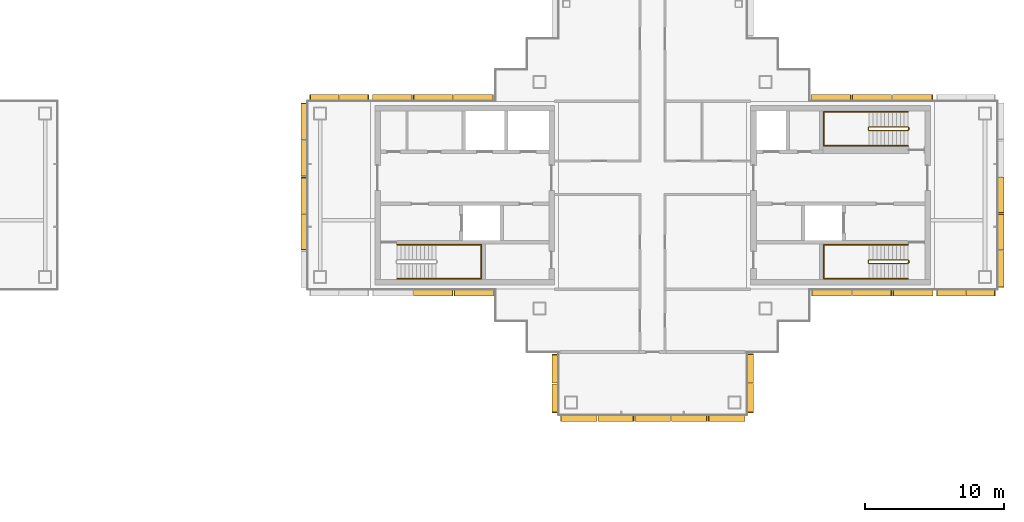
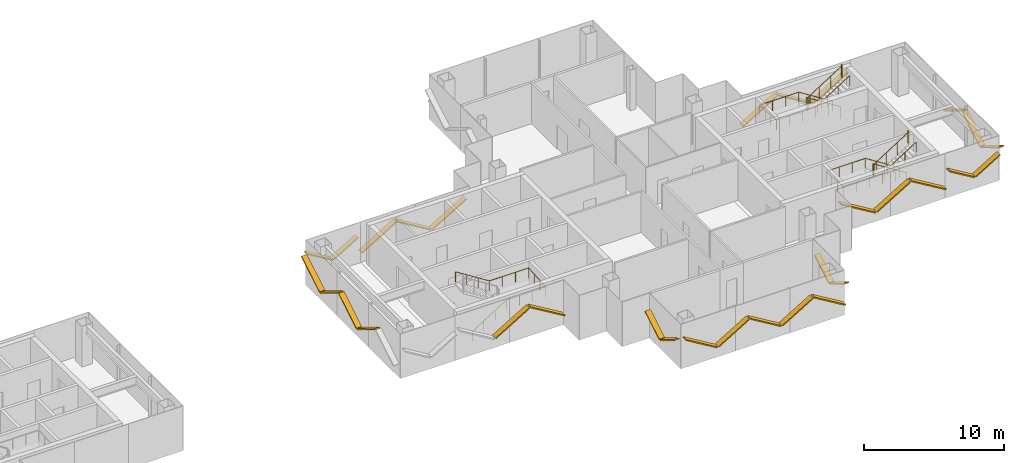
# One storey, part 15 of 17: 31 shading devices, 5 railings.
"""IFC4 building model written with IfcOpenShell, lengths in metres."""

from ifc_helpers import new_model, si_unit, direction, frame, origin, origin_2d, place, context, subcontext, project, spatial, rectangle, circle, extrude, material, material_profile, profile_set, type_object, element, save


model = new_model("IFC4")

# Units and contexts
model_context = context("Model", 3, precision=1e-05, world=origin(), true_north=direction((0.0, 1.0)))
body_context = subcontext(model_context, "Body", "Model", "MODEL_VIEW")
ifc_project = project(units=[si_unit("LENGTHUNIT", "METRE"), si_unit("AREAUNIT", "SQUARE_METRE"), si_unit("VOLUMEUNIT", "CUBIC_METRE"), si_unit("PLANEANGLEUNIT", "RADIAN"), si_unit("MASSUNIT", "GRAM", prefix="KILO")], contexts=[model_context])

# Site, building, storey
site_placement = place(None, origin())
site = spatial("IfcSite", under=ifc_project, at=site_placement, CompositionType="ELEMENT")
building_placement = place(site_placement, origin())
building = spatial("IfcBuilding", under=site, at=building_placement, Name="Shamsa Quay Exchange Towers", CompositionType="ELEMENT")
storey_placement = place(building_placement, frame((0.0, 0.0, 249.89990234375)))
storey = spatial("IfcBuildingStorey", under=building, at=storey_placement, Name="L60", CompositionType="ELEMENT", Elevation=249.89990234375)

# Shading devices
ifc_material_1 = material(Name="Aluminium EN AW-6063 T6, black anodised", Category="aluminium")
ifc_material_profile = material_profile(ifc_material_1, rectangle(XDim=0.449951171875, YDim=0.10009765625, at=origin_2d()), Name="FIN450x100")
ifc_profile_set = profile_set([ifc_material_profile], Name="Aluminium EN AW-6063 T6, black anodised")
shading_device_type = type_object("IfcShadingDeviceType", Name="FIN 450x100 BLACK ALUMINIUM", PredefinedType="USERDEFINED", material=ifc_profile_set)
shading_device_1_placement = place(storey_placement, frame((45.18798828125, -7.01904296875, 2.45263671875), z_axis=(0.857141320927, 0.0, -0.515081310046), x_axis=(0.0, 1.0, 0.0)))
element("IfcShadingDevice", 1, at=shading_device_1_placement, inside=storey, type_object=shading_device_type, Name="FIN T2 chevron rib", ObjectType="FIN", PredefinedType="USERDEFINED", context=body_context, shape_type="SweptSolid", body=[
    extrude(rectangle(XDim=0.449951171875, YDim=0.10009765625, at=origin_2d()), origin(), (0.0, 0.0, 1.0), 3.310302734375),
])
shading_device_2_placement = place(storey_placement, frame((48.125244140625, -7.01904296875, 0.7626953125), z_axis=(0.857168152113, 0.0, 0.515036657922), x_axis=(0.0, 1.0, 0.0)))
element("IfcShadingDevice", 2, at=shading_device_2_placement, inside=storey, type_object=shading_device_type, Name="FIN T2 chevron rib", ObjectType="FIN", PredefinedType="USERDEFINED", context=body_context, shape_type="SweptSolid", body=[
    extrude(rectangle(XDim=0.449951171875, YDim=0.10009765625, at=origin_2d()), origin(), (0.0, 0.0, 1.0), 3.251708984375),
])
shading_device_3_placement = place(storey_placement, frame((51.0126953125, -7.01904296875, 2.45263671875), z_axis=(0.857141320927, 0.0, -0.515081310046), x_axis=(0.0, 1.0, 0.0)))
element("IfcShadingDevice", 3, at=shading_device_3_placement, inside=storey, type_object=shading_device_type, Name="FIN T2 chevron rib", ObjectType="FIN", PredefinedType="USERDEFINED", context=body_context, shape_type="SweptSolid", body=[
    extrude(rectangle(XDim=0.449951171875, YDim=0.10009765625, at=origin_2d()), origin(), (0.0, 0.0, 1.0), 3.310302734375),
])
for number, where, z_axis, x_axis, name in (
    (4, (54.14990234375, -7.014892578125, 2.216064453125), (0.857141460525, 0.0, -0.515081077743), (0.0, 1.0, 0.0), "FIN T2 chevron rib"),
    (5, (56.300048828125, -7.014892578125, 0.984130859375), (0.857141460525, 0.0, 0.515081077743), (0.0, 1.0, 0.0), "FIN T2 chevron rib"),
):
    element("IfcShadingDevice", number, at=place(storey_placement, frame(where, z_axis=z_axis, x_axis=x_axis)), inside=storey, type_object=shading_device_type, Name=name, ObjectType="FIN", PredefinedType="USERDEFINED", context=body_context, shape_type="SweptSolid", body=[
        extrude(rectangle(XDim=0.449951171875, YDim=0.10009765625, at=origin_2d()), origin(), (0.0, 0.0, 1.0), 2.391845703125),
    ])
shading_device_4_placement = place(storey_placement, frame((58.764892578125, -6.60009765625, 2.378173828125), z_axis=(0.0, 0.857186216295, -0.515006592767), x_axis=(-1.0, 0.0, 0.0)))
element("IfcShadingDevice", 6, at=shading_device_4_placement, inside=storey, type_object=shading_device_type, Name="FIN T2 chevron rib", ObjectType="FIN", PredefinedType="USERDEFINED", context=body_context, shape_type="SweptSolid", body=[
    extrude(rectangle(XDim=0.449951171875, YDim=0.10009765625, at=origin_2d()), origin(), (0.0, 0.0, 1.0), 3.021728515625),
])
shading_device_5_placement = place(storey_placement, frame((58.764892578125, -3.909912109375, 0.8369140625), z_axis=(0.0, 0.857121939939, 0.515113560367), x_axis=(-1.0, 0.0, 0.0)))
element("IfcShadingDevice", 7, at=shading_device_5_placement, inside=storey, type_object=shading_device_type, Name="FIN T2 chevron rib", ObjectType="FIN", PredefinedType="USERDEFINED", context=body_context, shape_type="SweptSolid", body=[
    extrude(rectangle(XDim=0.449951171875, YDim=0.10009765625, at=origin_2d()), origin(), (0.0, 0.0, 1.0), 2.963134765625),
])
shading_device_6_placement = place(storey_placement, frame((58.764892578125, -1.27001953125, 2.36328125), z_axis=(0.0, 0.857143799628, -0.515077185244), x_axis=(-1.0, 0.0, 0.0)))
element("IfcShadingDevice", 8, at=shading_device_6_placement, inside=storey, type_object=shading_device_type, Name="FIN T2 chevron rib", ObjectType="FIN", PredefinedType="USERDEFINED", context=body_context, shape_type="SweptSolid", body=[
    extrude(rectangle(XDim=0.449951171875, YDim=0.10009765625, at=origin_2d()), origin(), (0.0, 0.0, 1.0), 2.96337890625),
])
shading_device_7_placement = place(storey_placement, frame((53.85009765625, 7.01904296875, 2.456298828125), z_axis=(-0.857181785947, 0.0, -0.515013966646), x_axis=(0.0, -1.0, 0.0)))
element("IfcShadingDevice", 9, at=shading_device_7_placement, inside=storey, type_object=shading_device_type, Name="FIN T2 chevron rib", ObjectType="FIN", PredefinedType="USERDEFINED", context=body_context, shape_type="SweptSolid", body=[
    extrude(rectangle(XDim=0.449951171875, YDim=0.10009765625, at=origin_2d()), origin(), (0.0, 0.0, 1.0), 3.324951171875),
])
shading_device_8_placement = place(storey_placement, frame((50.89990234375, 7.01904296875, 0.7587890625), z_axis=(-0.857123399088, 0.0, 0.515111132413), x_axis=(0.0, -1.0, 0.0)))
element("IfcShadingDevice", 10, at=shading_device_8_placement, inside=storey, type_object=shading_device_type, Name="FIN T2 chevron rib", ObjectType="FIN", PredefinedType="USERDEFINED", context=body_context, shape_type="SweptSolid", body=[
    extrude(rectangle(XDim=0.449951171875, YDim=0.10009765625, at=origin_2d()), origin(), (0.0, 0.0, 1.0), 3.2666015625),
])
shading_device_9_placement = place(storey_placement, frame((48.0, 7.01904296875, 2.456298828125), z_axis=(-0.857181785947, 0.0, -0.515013966646), x_axis=(0.0, -1.0, 0.0)))
element("IfcShadingDevice", 11, at=shading_device_9_placement, inside=storey, type_object=shading_device_type, Name="FIN T2 chevron rib", ObjectType="FIN", PredefinedType="USERDEFINED", context=body_context, shape_type="SweptSolid", body=[
    extrude(rectangle(XDim=0.449951171875, YDim=0.10009765625, at=origin_2d()), origin(), (0.0, 0.0, 1.0), 3.324951171875),
])
shading_device_10_placement = place(storey_placement, frame((22.31201171875, 7.01904296875, 2.45263671875), z_axis=(-0.857141320927, 0.0, -0.515081310046), x_axis=(0.0, -1.0, 0.0)))
element("IfcShadingDevice", 12, at=shading_device_10_placement, inside=storey, type_object=shading_device_type, Name="FIN T2 chevron rib", ObjectType="FIN", PredefinedType="USERDEFINED", context=body_context, shape_type="SweptSolid", body=[
    extrude(rectangle(XDim=0.449951171875, YDim=0.10009765625, at=origin_2d()), origin(), (0.0, 0.0, 1.0), 3.310302734375),
])
shading_device_11_placement = place(storey_placement, frame((19.374755859375, 7.01904296875, 0.7626953125), z_axis=(-0.857168152113, 0.0, 0.515036657922), x_axis=(0.0, -1.0, 0.0)))
element("IfcShadingDevice", 13, at=shading_device_11_placement, inside=storey, type_object=shading_device_type, Name="FIN T2 chevron rib", ObjectType="FIN", PredefinedType="USERDEFINED", context=body_context, shape_type="SweptSolid", body=[
    extrude(rectangle(XDim=0.449951171875, YDim=0.10009765625, at=origin_2d()), origin(), (0.0, 0.0, 1.0), 3.251708984375),
])
shading_device_12_placement = place(storey_placement, frame((16.4873046875, 7.01904296875, 2.45263671875), z_axis=(-0.857141320927, 0.0, -0.515081310046), x_axis=(0.0, -1.0, 0.0)))
element("IfcShadingDevice", 14, at=shading_device_12_placement, inside=storey, type_object=shading_device_type, Name="FIN T2 chevron rib", ObjectType="FIN", PredefinedType="USERDEFINED", context=body_context, shape_type="SweptSolid", body=[
    extrude(rectangle(XDim=0.449951171875, YDim=0.10009765625, at=origin_2d()), origin(), (0.0, 0.0, 1.0), 3.310302734375),
])
for number, where, z_axis, x_axis, name in (
    (15, (13.35009765625, 7.014892578125, 2.216064453125), (-0.857141460525, 0.0, -0.515081077743), (0.0, -1.0, 0.0), "FIN T2 chevron rib"),
    (16, (11.199951171875, 7.014892578125, 0.984130859375), (-0.857141460525, 0.0, 0.515081077743), (0.0, -1.0, 0.0), "FIN T2 chevron rib"),
):
    element("IfcShadingDevice", number, at=place(storey_placement, frame(where, z_axis=z_axis, x_axis=x_axis)), inside=storey, type_object=shading_device_type, Name=name, ObjectType="FIN", PredefinedType="USERDEFINED", context=body_context, shape_type="SweptSolid", body=[
        extrude(rectangle(XDim=0.449951171875, YDim=0.10009765625, at=origin_2d()), origin(), (0.0, 0.0, 1.0), 2.391845703125),
    ])
shading_device_13_placement = place(storey_placement, frame((8.735107421875, 6.60009765625, 2.378173828125), z_axis=(0.0, -0.857186216295, -0.515006592767), x_axis=(1.0, 0.0, 0.0)))
element("IfcShadingDevice", 17, at=shading_device_13_placement, inside=storey, type_object=shading_device_type, Name="FIN T2 chevron rib", ObjectType="FIN", PredefinedType="USERDEFINED", context=body_context, shape_type="SweptSolid", body=[
    extrude(rectangle(XDim=0.449951171875, YDim=0.10009765625, at=origin_2d()), origin(), (0.0, 0.0, 1.0), 3.021728515625),
])
shading_device_14_placement = place(storey_placement, frame((8.735107421875, 3.909912109375, 0.8369140625), z_axis=(0.0, -0.857121939939, 0.515113560367), x_axis=(1.0, 0.0, 0.0)))
element("IfcShadingDevice", 18, at=shading_device_14_placement, inside=storey, type_object=shading_device_type, Name="FIN T2 chevron rib", ObjectType="FIN", PredefinedType="USERDEFINED", context=body_context, shape_type="SweptSolid", body=[
    extrude(rectangle(XDim=0.449951171875, YDim=0.10009765625, at=origin_2d()), origin(), (0.0, 0.0, 1.0), 2.963134765625),
])
shading_device_15_placement = place(storey_placement, frame((8.735107421875, 1.27001953125, 2.36328125), z_axis=(0.0, -0.857143799628, -0.515077185244), x_axis=(1.0, 0.0, 0.0)))
element("IfcShadingDevice", 19, at=shading_device_15_placement, inside=storey, type_object=shading_device_type, Name="FIN T2 chevron rib", ObjectType="FIN", PredefinedType="USERDEFINED", context=body_context, shape_type="SweptSolid", body=[
    extrude(rectangle(XDim=0.449951171875, YDim=0.10009765625, at=origin_2d()), origin(), (0.0, 0.0, 1.0), 2.96337890625),
])
shading_device_16_placement = place(storey_placement, frame((8.735107421875, -1.3701171875, 0.8369140625), z_axis=(0.0, -0.857121939939, 0.515113560367), x_axis=(1.0, 0.0, 0.0)))
element("IfcShadingDevice", 20, at=shading_device_16_placement, inside=storey, type_object=shading_device_type, Name="FIN T2 chevron rib", ObjectType="FIN", PredefinedType="USERDEFINED", context=body_context, shape_type="SweptSolid", body=[
    extrude(rectangle(XDim=0.449951171875, YDim=0.10009765625, at=origin_2d()), origin(), (0.0, 0.0, 1.0), 2.963134765625),
])
shading_device_17_placement = place(storey_placement, frame((16.60009765625, -7.01904296875, 0.7587890625), z_axis=(0.857123399088, 0.0, 0.515111132413), x_axis=(0.0, 1.0, 0.0)))
element("IfcShadingDevice", 21, at=shading_device_17_placement, inside=storey, type_object=shading_device_type, Name="FIN T2 chevron rib", ObjectType="FIN", PredefinedType="USERDEFINED", context=body_context, shape_type="SweptSolid", body=[
    extrude(rectangle(XDim=0.449951171875, YDim=0.10009765625, at=origin_2d()), origin(), (0.0, 0.0, 1.0), 3.2666015625),
])
shading_device_18_placement = place(storey_placement, frame((19.5, -7.01904296875, 2.456298828125), z_axis=(0.857181785947, 0.0, -0.515013966646), x_axis=(0.0, 1.0, 0.0)))
element("IfcShadingDevice", 22, at=shading_device_18_placement, inside=storey, type_object=shading_device_type, Name="FIN T2 chevron rib", ObjectType="FIN", PredefinedType="USERDEFINED", context=body_context, shape_type="SweptSolid", body=[
    extrude(rectangle(XDim=0.449951171875, YDim=0.10009765625, at=origin_2d()), origin(), (0.0, 0.0, 1.0), 3.324951171875),
])
for number, where, z_axis, x_axis, name in (
    (23, (26.735107421875, -11.43798828125, 2.210205078125), (0.0, -0.857192750628, -0.51499571675), (1.0, 0.0, 0.0), "FIN T2 chevron rib"),
    (24, (26.735107421875, -13.569091796875, 0.989990234375), (0.0, -0.857192750628, 0.51499571675), (1.0, 0.0, 0.0), "FIN T2 chevron rib"),
):
    element("IfcShadingDevice", number, at=place(storey_placement, frame(where, z_axis=z_axis, x_axis=x_axis)), inside=storey, type_object=shading_device_type, Name=name, ObjectType="FIN", PredefinedType="USERDEFINED", context=body_context, shape_type="SweptSolid", body=[
        extrude(rectangle(XDim=0.449951171875, YDim=0.10009765625, at=origin_2d()), origin(), (0.0, 0.0, 1.0), 2.369384765625),
    ])
shading_device_19_placement = place(storey_placement, frame((27.14990234375, -16.014892578125, 2.378173828125), z_axis=(0.857186216295, 0.0, -0.515006592767), x_axis=(0.0, 1.0, 0.0)))
element("IfcShadingDevice", 25, at=shading_device_19_placement, inside=storey, type_object=shading_device_type, Name="FIN T2 chevron rib", ObjectType="FIN", PredefinedType="USERDEFINED", context=body_context, shape_type="SweptSolid", body=[
    extrude(rectangle(XDim=0.449951171875, YDim=0.10009765625, at=origin_2d()), origin(), (0.0, 0.0, 1.0), 3.021728515625),
])
shading_device_20_placement = place(storey_placement, frame((29.840087890625, -16.014892578125, 0.8369140625), z_axis=(0.857121939939, 0.0, 0.515113560367), x_axis=(0.0, 1.0, 0.0)))
element("IfcShadingDevice", 26, at=shading_device_20_placement, inside=storey, type_object=shading_device_type, Name="FIN T2 chevron rib", ObjectType="FIN", PredefinedType="USERDEFINED", context=body_context, shape_type="SweptSolid", body=[
    extrude(rectangle(XDim=0.449951171875, YDim=0.10009765625, at=origin_2d()), origin(), (0.0, 0.0, 1.0), 2.963134765625),
])
shading_device_21_placement = place(storey_placement, frame((32.47998046875, -16.014892578125, 2.36328125), z_axis=(0.857143799628, 0.0, -0.515077185244), x_axis=(0.0, 1.0, 0.0)))
element("IfcShadingDevice", 27, at=shading_device_21_placement, inside=storey, type_object=shading_device_type, Name="FIN T2 chevron rib", ObjectType="FIN", PredefinedType="USERDEFINED", context=body_context, shape_type="SweptSolid", body=[
    extrude(rectangle(XDim=0.449951171875, YDim=0.10009765625, at=origin_2d()), origin(), (0.0, 0.0, 1.0), 2.96337890625),
])
shading_device_22_placement = place(storey_placement, frame((35.1201171875, -16.014892578125, 0.8369140625), z_axis=(0.857121939939, 0.0, 0.515113560367), x_axis=(0.0, 1.0, 0.0)))
element("IfcShadingDevice", 28, at=shading_device_22_placement, inside=storey, type_object=shading_device_type, Name="FIN T2 chevron rib", ObjectType="FIN", PredefinedType="USERDEFINED", context=body_context, shape_type="SweptSolid", body=[
    extrude(rectangle(XDim=0.449951171875, YDim=0.10009765625, at=origin_2d()), origin(), (0.0, 0.0, 1.0), 2.963134765625),
])
shading_device_23_placement = place(storey_placement, frame((37.760009765625, -16.014892578125, 2.378173828125), z_axis=(0.857186216295, 0.0, -0.515006592767), x_axis=(0.0, 1.0, 0.0)))
element("IfcShadingDevice", 29, at=shading_device_23_placement, inside=storey, type_object=shading_device_type, Name="FIN T2 chevron rib", ObjectType="FIN", PredefinedType="USERDEFINED", context=body_context, shape_type="SweptSolid", body=[
    extrude(rectangle(XDim=0.449951171875, YDim=0.10009765625, at=origin_2d()), origin(), (0.0, 0.0, 1.0), 3.021728515625),
])
for number, where, z_axis, x_axis, name in (
    (30, (40.764892578125, -15.60009765625, 2.216064453125), (0.0, 0.857141460525, -0.515081077743), (-1.0, 0.0, 0.0), "FIN T2 chevron rib"),
    (31, (40.764892578125, -13.449951171875, 0.984130859375), (0.0, 0.857141460525, 0.515081077743), (-1.0, 0.0, 0.0), "FIN T2 chevron rib"),
):
    element("IfcShadingDevice", number, at=place(storey_placement, frame(where, z_axis=z_axis, x_axis=x_axis)), inside=storey, type_object=shading_device_type, Name=name, ObjectType="FIN", PredefinedType="USERDEFINED", context=body_context, shape_type="SweptSolid", body=[
        extrude(rectangle(XDim=0.449951171875, YDim=0.10009765625, at=origin_2d()), origin(), (0.0, 0.0, 1.0), 2.391845703125),
    ])

# Railings
ifc_material_2 = material(Name="Stainless steel", Category="steel")
railing_type_1 = type_object("IfcRailingType", Name="STAIR GUARD 1100", PredefinedType="GUARDRAIL", material=ifc_material_2)
railing_1_placement = place(storey_placement, frame((52.10009765625, -4.64990234375, 0.177490234375)))
element("IfcRailing", 32, at=railing_1_placement, inside=storey, type_object=railing_type_1, Name="L60 ST5 stair guard 1", PredefinedType="GUARDRAIL", context=body_context, shape_type="SweptSolid", body=[
    extrude(circle(Radius=0.02392578125, at=origin_2d()), frame((0.0, 0.0, 1.076171875), z_axis=(-0.844908973607, 0.0, 0.534910110503), x_axis=(0.0, -1.0, 0.0)), (0.0, 0.0, 1.0), 3.31396484375),
    extrude(circle(Radius=0.02392578125, at=origin_2d()), frame((-2.800048828125, 0.0, 2.8486328125), z_axis=(-0.707106781187, -0.707106781187, 0.0), x_axis=(0.707106781187, -0.707106781187, 0.0)), (0.0, 0.0, 1.0), 0.07080078125),
    extrude(circle(Radius=0.02392578125, at=origin_2d()), frame((-2.85009765625, -0.050048828125, 2.8486328125), z_axis=(0.0, -1.0, 0.0), x_axis=(1.0, 0.0, 0.0)), (0.0, 0.0, 1.0), 0.150146484375),
    extrude(circle(Radius=0.02392578125, at=origin_2d()), frame((-2.85009765625, -0.2001953125, 2.8486328125), z_axis=(0.262321481514, -0.261041864531, 0.929001929653), x_axis=(0.705375805398, 0.708833529934, 0.0)), (0.0, 0.0, 1.0), 0.190673828125),
    extrude(circle(Radius=0.02392578125, at=origin_2d()), frame((-2.800048828125, -0.25, 3.02587890625), z_axis=(0.844908973607, 0.0, 0.534910110503), x_axis=(0.0, 1.0, 0.0)), (0.0, 0.0, 1.0), 3.31396484375),
    extrude(circle(Radius=0.02392578125, at=origin_2d()), frame((0.0, -0.25, 4.798828125), z_axis=(0.241699205484, 0.970351222016, 0.0), x_axis=(-0.970351222016, 0.241699205484, 0.0)), (0.0, 0.0, 1.0), 0.2060546875),
    extrude(circle(Radius=0.02392578125, at=origin_2d()), frame((0.0498046875, -0.050048828125, 4.798828125), z_axis=(0.0, -1.0, 0.0), x_axis=(1.0, 0.0, 0.0)), (0.0, 0.0, 1.0), 0.150146484375),
    extrude(circle(Radius=0.02099609375, at=origin_2d()), origin(), (0.0, 0.0, 1.0), 1.052001953125),
    extrude(circle(Radius=0.02099609375, at=origin_2d()), frame((-0.933349609375, 0.0, 0.5908203125)), (0.0, 0.0, 1.0), 1.052001953125),
    extrude(circle(Radius=0.02099609375, at=origin_2d()), frame((-1.86669921875, 0.0, 1.181884765625)), (0.0, 0.0, 1.0), 1.052001953125),
    extrude(circle(Radius=0.02099609375, at=origin_2d()), frame((-2.800048828125, 0.0, 1.772705078125)), (0.0, 0.0, 1.0), 1.052001953125),
    extrude(circle(Radius=0.02099609375, at=origin_2d()), frame((-2.85009765625, -0.050048828125, 1.772705078125)), (0.0, 0.0, 1.0), 1.052001953125),
    extrude(circle(Radius=0.02099609375, at=origin_2d()), frame((-2.85009765625, -0.2001953125, 1.772705078125)), (0.0, 0.0, 1.0), 1.052001953125),
    extrude(circle(Radius=0.02099609375, at=origin_2d()), frame((-2.800048828125, -0.25, 1.949951171875)), (0.0, 0.0, 1.0), 1.052001953125),
    extrude(circle(Radius=0.02099609375, at=origin_2d()), frame((-1.86669921875, -0.25, 2.540771484375)), (0.0, 0.0, 1.0), 1.052001953125),
    extrude(circle(Radius=0.02099609375, at=origin_2d()), frame((-0.933349609375, -0.25, 3.1318359375)), (0.0, 0.0, 1.0), 1.052001953125),
    extrude(circle(Radius=0.02099609375, at=origin_2d()), frame((0.0, -0.25, 3.72265625)), (0.0, 0.0, 1.0), 1.052001953125),
    extrude(circle(Radius=0.02099609375, at=origin_2d()), frame((0.0498046875, -0.050048828125, 3.72265625)), (0.0, 0.0, 1.0), 1.052001953125),
    extrude(circle(Radius=0.02099609375, at=origin_2d()), frame((0.0498046875, -0.2001953125, 3.72265625)), (0.0, 0.0, 1.0), 1.052001953125),
])
railing_2_placement = place(storey_placement, frame((52.10009765625, 4.89990234375, 0.177490234375)))
element("IfcRailing", 33, at=railing_2_placement, inside=storey, type_object=railing_type_1, Name="L60 ST6 stair guard 1", PredefinedType="GUARDRAIL", context=body_context, shape_type="SweptSolid", body=[
    extrude(circle(Radius=0.02392578125, at=origin_2d()), frame((0.0, 0.0, 1.076171875), z_axis=(-0.844908973607, 0.0, 0.534910110503), x_axis=(0.0, -1.0, 0.0)), (0.0, 0.0, 1.0), 3.31396484375),
    extrude(circle(Radius=0.02392578125, at=origin_2d()), frame((-2.800048828125, 0.0, 2.8486328125), z_axis=(-0.708833529934, -0.705375805398, 0.0), x_axis=(0.705375805398, -0.708833529934, 0.0)), (0.0, 0.0, 1.0), 0.070556640625),
    extrude(circle(Radius=0.02392578125, at=origin_2d()), frame((-2.85009765625, -0.0498046875, 2.8486328125), z_axis=(0.0, -1.0, 0.0), x_axis=(1.0, 0.0, 0.0)), (0.0, 0.0, 1.0), 0.150146484375),
    extrude(circle(Radius=0.02392578125, at=origin_2d()), frame((-2.85009765625, -0.199951171875, 2.8486328125), z_axis=(0.262233686654, -0.262233686654, 0.928691007369), x_axis=(0.707106781187, 0.707106781187, 0.0)), (0.0, 0.0, 1.0), 0.19091796875),
    extrude(circle(Radius=0.02392578125, at=origin_2d()), frame((-2.800048828125, -0.25, 3.02587890625), z_axis=(0.844908973607, 0.0, 0.534910110503), x_axis=(0.0, 1.0, 0.0)), (0.0, 0.0, 1.0), 3.31396484375),
    extrude(circle(Radius=0.02392578125, at=origin_2d()), frame((0.0, -0.25, 4.798828125), z_axis=(0.24142163986, 0.970420317083, 0.0), x_axis=(-0.970420317083, 0.24142163986, 0.0)), (0.0, 0.0, 1.0), 0.206298828125),
    extrude(circle(Radius=0.02392578125, at=origin_2d()), frame((0.0498046875, -0.0498046875, 4.798828125), z_axis=(0.0, -1.0, 0.0), x_axis=(1.0, 0.0, 0.0)), (0.0, 0.0, 1.0), 0.150146484375),
    extrude(circle(Radius=0.02099609375, at=origin_2d()), origin(), (0.0, 0.0, 1.0), 1.052001953125),
    extrude(circle(Radius=0.02099609375, at=origin_2d()), frame((-0.933349609375, 0.0, 0.5908203125)), (0.0, 0.0, 1.0), 1.052001953125),
    extrude(circle(Radius=0.02099609375, at=origin_2d()), frame((-1.86669921875, 0.0, 1.181884765625)), (0.0, 0.0, 1.0), 1.052001953125),
    extrude(circle(Radius=0.02099609375, at=origin_2d()), frame((-2.800048828125, 0.0, 1.772705078125)), (0.0, 0.0, 1.0), 1.052001953125),
    extrude(circle(Radius=0.02099609375, at=origin_2d()), frame((-2.85009765625, -0.0498046875, 1.772705078125)), (0.0, 0.0, 1.0), 1.052001953125),
    extrude(circle(Radius=0.02099609375, at=origin_2d()), frame((-2.85009765625, -0.199951171875, 1.772705078125)), (0.0, 0.0, 1.0), 1.052001953125),
    extrude(circle(Radius=0.02099609375, at=origin_2d()), frame((-2.800048828125, -0.25, 1.949951171875)), (0.0, 0.0, 1.0), 1.052001953125),
    extrude(circle(Radius=0.02099609375, at=origin_2d()), frame((-1.86669921875, -0.25, 2.540771484375)), (0.0, 0.0, 1.0), 1.052001953125),
    extrude(circle(Radius=0.02099609375, at=origin_2d()), frame((-0.933349609375, -0.25, 3.1318359375)), (0.0, 0.0, 1.0), 1.052001953125),
    extrude(circle(Radius=0.02099609375, at=origin_2d()), frame((0.0, -0.25, 3.72265625)), (0.0, 0.0, 1.0), 1.052001953125),
    extrude(circle(Radius=0.02099609375, at=origin_2d()), frame((0.0498046875, -0.0498046875, 3.72265625)), (0.0, 0.0, 1.0), 1.052001953125),
    extrude(circle(Radius=0.02099609375, at=origin_2d()), frame((0.0498046875, -0.199951171875, 3.72265625)), (0.0, 0.0, 1.0), 1.052001953125),
])
railing_type_2 = type_object("IfcRailingType", Name="STAIR HANDRAIL 900", PredefinedType="HANDRAIL", material=ifc_material_2)
railing_3_placement = place(storey_placement, frame((15.39990234375, -6.0, 0.177490234375)))
element("IfcRailing", 34, at=railing_3_placement, inside=storey, type_object=railing_type_2, Name="L60 ST4 stair handrail 1", PredefinedType="HANDRAIL", context=body_context, shape_type="SweptSolid", body=[
    extrude(circle(Radius=0.02392578125, at=origin_2d()), frame((0.0, 0.0, 0.8759765625), z_axis=(0.844908973607, 0.0, 0.534910110503), x_axis=(0.0, 1.0, 0.0)), (0.0, 0.0, 1.0), 3.31396484375),
    extrude(circle(Radius=0.02392578125, at=origin_2d()), frame((2.800048828125, 0.0, 2.6484375), z_axis=(1.0, 0.0, 0.0), x_axis=(0.0, 1.0, 0.0)), (0.0, 0.0, 1.0), 3.25),
    extrude(circle(Radius=0.02392578125, at=origin_2d()), frame((6.050048828125, 0.0, 2.6484375), z_axis=(0.0, 0.997393199914, 0.07215819264), x_axis=(-1.0, 0.0, 0.0)), (0.0, 0.0, 1.0), 2.456298828125),
    extrude(circle(Radius=0.02392578125, at=origin_2d()), frame((6.050048828125, 2.449951171875, 2.82568359375), z_axis=(-1.0, 0.0, 0.0), x_axis=(0.0, -1.0, 0.0)), (0.0, 0.0, 1.0), 3.25),
    extrude(circle(Radius=0.02392578125, at=origin_2d()), frame((2.800048828125, 2.449951171875, 2.82568359375), z_axis=(-0.844908973607, 0.0, 0.534910110503), x_axis=(0.0, -1.0, 0.0)), (0.0, 0.0, 1.0), 3.31396484375),
    extrude(circle(Radius=0.02099609375, at=origin_2d()), origin(), (0.0, 0.0, 1.0), 0.851806640625),
    extrude(circle(Radius=0.02099609375, at=origin_2d()), frame((0.933349609375, 0.0, 0.5908203125)), (0.0, 0.0, 1.0), 0.851806640625),
    extrude(circle(Radius=0.02099609375, at=origin_2d()), frame((1.86669921875, 0.0, 1.181884765625)), (0.0, 0.0, 1.0), 0.851806640625),
    extrude(circle(Radius=0.02099609375, at=origin_2d()), frame((2.800048828125, 0.0, 1.772705078125)), (0.0, 0.0, 1.0), 0.851806640625),
    extrude(circle(Radius=0.02099609375, at=origin_2d()), frame((3.88330078125, 0.0, 1.772705078125)), (0.0, 0.0, 1.0), 0.851806640625),
    extrude(circle(Radius=0.02099609375, at=origin_2d()), frame((4.966796875, 0.0, 1.772705078125)), (0.0, 0.0, 1.0), 0.851806640625),
    extrude(circle(Radius=0.02099609375, at=origin_2d()), frame((6.050048828125, 0.0, 1.772705078125)), (0.0, 0.0, 1.0), 0.851806640625),
    extrude(circle(Radius=0.02099609375, at=origin_2d()), frame((6.050048828125, 0.816650390625, 1.831787109375)), (0.0, 0.0, 1.0), 0.851806640625),
    extrude(circle(Radius=0.02099609375, at=origin_2d()), frame((6.050048828125, 1.63330078125, 1.890869140625)), (0.0, 0.0, 1.0), 0.851806640625),
    extrude(circle(Radius=0.02099609375, at=origin_2d()), frame((6.050048828125, 2.449951171875, 1.949951171875)), (0.0, 0.0, 1.0), 0.851806640625),
    extrude(circle(Radius=0.02099609375, at=origin_2d()), frame((4.966796875, 2.449951171875, 1.949951171875)), (0.0, 0.0, 1.0), 0.851806640625),
    extrude(circle(Radius=0.02099609375, at=origin_2d()), frame((3.88330078125, 2.449951171875, 1.949951171875)), (0.0, 0.0, 1.0), 0.851806640625),
    extrude(circle(Radius=0.02099609375, at=origin_2d()), frame((2.800048828125, 2.449951171875, 1.949951171875)), (0.0, 0.0, 1.0), 0.851806640625),
    extrude(circle(Radius=0.02099609375, at=origin_2d()), frame((1.86669921875, 2.449951171875, 2.540771484375)), (0.0, 0.0, 1.0), 0.851806640625),
    extrude(circle(Radius=0.02099609375, at=origin_2d()), frame((0.933349609375, 2.449951171875, 3.1318359375)), (0.0, 0.0, 1.0), 0.851806640625),
    extrude(circle(Radius=0.02099609375, at=origin_2d()), frame((0.0, 2.449951171875, 3.72265625)), (0.0, 0.0, 1.0), 0.851806640625),
])
railing_4_placement = place(storey_placement, frame((52.10009765625, -3.550048828125, 0.177490234375)))
element("IfcRailing", 35, at=railing_4_placement, inside=storey, type_object=railing_type_2, Name="L60 ST5 stair handrail 1", PredefinedType="HANDRAIL", context=body_context, shape_type="SweptSolid", body=[
    extrude(circle(Radius=0.02392578125, at=origin_2d()), frame((0.0, 0.0, 0.8759765625), z_axis=(-0.844908973607, 0.0, 0.534910110503), x_axis=(0.0, -1.0, 0.0)), (0.0, 0.0, 1.0), 3.31396484375),
    extrude(circle(Radius=0.02392578125, at=origin_2d()), frame((-2.800048828125, 0.0, 2.6484375), z_axis=(-1.0, 0.0, 0.0), x_axis=(0.0, -1.0, 0.0)), (0.0, 0.0, 1.0), 3.25),
    extrude(circle(Radius=0.02392578125, at=origin_2d()), frame((-6.050048828125, 0.0, 2.6484375), z_axis=(0.0, -0.997393199914, 0.07215819264), x_axis=(1.0, 0.0, 0.0)), (0.0, 0.0, 1.0), 2.456298828125),
    extrude(circle(Radius=0.02392578125, at=origin_2d()), frame((-6.050048828125, -2.449951171875, 2.82568359375), z_axis=(1.0, 0.0, 0.0), x_axis=(0.0, 1.0, 0.0)), (0.0, 0.0, 1.0), 3.25),
    extrude(circle(Radius=0.02392578125, at=origin_2d()), frame((-2.800048828125, -2.449951171875, 2.82568359375), z_axis=(0.844908973607, 0.0, 0.534910110503), x_axis=(0.0, 1.0, 0.0)), (0.0, 0.0, 1.0), 3.31396484375),
    extrude(circle(Radius=0.02099609375, at=origin_2d()), origin(), (0.0, 0.0, 1.0), 0.851806640625),
    extrude(circle(Radius=0.02099609375, at=origin_2d()), frame((-0.933349609375, 0.0, 0.5908203125)), (0.0, 0.0, 1.0), 0.851806640625),
    extrude(circle(Radius=0.02099609375, at=origin_2d()), frame((-1.86669921875, 0.0, 1.181884765625)), (0.0, 0.0, 1.0), 0.851806640625),
    extrude(circle(Radius=0.02099609375, at=origin_2d()), frame((-2.800048828125, 0.0, 1.772705078125)), (0.0, 0.0, 1.0), 0.851806640625),
    extrude(circle(Radius=0.02099609375, at=origin_2d()), frame((-3.88330078125, 0.0, 1.772705078125)), (0.0, 0.0, 1.0), 0.851806640625),
    extrude(circle(Radius=0.02099609375, at=origin_2d()), frame((-4.966796875, 0.0, 1.772705078125)), (0.0, 0.0, 1.0), 0.851806640625),
    extrude(circle(Radius=0.02099609375, at=origin_2d()), frame((-6.050048828125, 0.0, 1.772705078125)), (0.0, 0.0, 1.0), 0.851806640625),
    extrude(circle(Radius=0.02099609375, at=origin_2d()), frame((-6.050048828125, -0.816650390625, 1.831787109375)), (0.0, 0.0, 1.0), 0.851806640625),
    extrude(circle(Radius=0.02099609375, at=origin_2d()), frame((-6.050048828125, -1.63330078125, 1.890869140625)), (0.0, 0.0, 1.0), 0.851806640625),
    extrude(circle(Radius=0.02099609375, at=origin_2d()), frame((-6.050048828125, -2.449951171875, 1.949951171875)), (0.0, 0.0, 1.0), 0.851806640625),
    extrude(circle(Radius=0.02099609375, at=origin_2d()), frame((-4.966796875, -2.449951171875, 1.949951171875)), (0.0, 0.0, 1.0), 0.851806640625),
    extrude(circle(Radius=0.02099609375, at=origin_2d()), frame((-3.88330078125, -2.449951171875, 1.949951171875)), (0.0, 0.0, 1.0), 0.851806640625),
    extrude(circle(Radius=0.02099609375, at=origin_2d()), frame((-2.800048828125, -2.449951171875, 1.949951171875)), (0.0, 0.0, 1.0), 0.851806640625),
    extrude(circle(Radius=0.02099609375, at=origin_2d()), frame((-1.86669921875, -2.449951171875, 2.540771484375)), (0.0, 0.0, 1.0), 0.851806640625),
    extrude(circle(Radius=0.02099609375, at=origin_2d()), frame((-0.933349609375, -2.449951171875, 3.1318359375)), (0.0, 0.0, 1.0), 0.851806640625),
    extrude(circle(Radius=0.02099609375, at=origin_2d()), frame((0.0, -2.449951171875, 3.72265625)), (0.0, 0.0, 1.0), 0.851806640625),
])
railing_5_placement = place(storey_placement, frame((52.10009765625, 6.0, 0.177490234375)))
element("IfcRailing", 36, at=railing_5_placement, inside=storey, type_object=railing_type_2, Name="L60 ST6 stair handrail 1", PredefinedType="HANDRAIL", context=body_context, shape_type="SweptSolid", body=[
    extrude(circle(Radius=0.02392578125, at=origin_2d()), frame((0.0, 0.0, 0.8759765625), z_axis=(-0.844908973607, 0.0, 0.534910110503), x_axis=(0.0, -1.0, 0.0)), (0.0, 0.0, 1.0), 3.31396484375),
    extrude(circle(Radius=0.02392578125, at=origin_2d()), frame((-2.800048828125, 0.0, 2.6484375), z_axis=(-1.0, 0.0, 0.0), x_axis=(0.0, -1.0, 0.0)), (0.0, 0.0, 1.0), 3.25),
    extrude(circle(Radius=0.02392578125, at=origin_2d()), frame((-6.050048828125, 0.0, 2.6484375), z_axis=(0.0, -0.997393199914, 0.07215819264), x_axis=(1.0, 0.0, 0.0)), (0.0, 0.0, 1.0), 2.456298828125),
    extrude(circle(Radius=0.02392578125, at=origin_2d()), frame((-6.050048828125, -2.449951171875, 2.82568359375), z_axis=(1.0, 0.0, 0.0), x_axis=(0.0, 1.0, 0.0)), (0.0, 0.0, 1.0), 3.25),
    extrude(circle(Radius=0.02392578125, at=origin_2d()), frame((-2.800048828125, -2.449951171875, 2.82568359375), z_axis=(0.844908973607, 0.0, 0.534910110503), x_axis=(0.0, 1.0, 0.0)), (0.0, 0.0, 1.0), 3.31396484375),
    extrude(circle(Radius=0.02099609375, at=origin_2d()), origin(), (0.0, 0.0, 1.0), 0.851806640625),
    extrude(circle(Radius=0.02099609375, at=origin_2d()), frame((-0.933349609375, 0.0, 0.5908203125)), (0.0, 0.0, 1.0), 0.851806640625),
    extrude(circle(Radius=0.02099609375, at=origin_2d()), frame((-1.86669921875, 0.0, 1.181884765625)), (0.0, 0.0, 1.0), 0.851806640625),
    extrude(circle(Radius=0.02099609375, at=origin_2d()), frame((-2.800048828125, 0.0, 1.772705078125)), (0.0, 0.0, 1.0), 0.851806640625),
    extrude(circle(Radius=0.02099609375, at=origin_2d()), frame((-3.88330078125, 0.0, 1.772705078125)), (0.0, 0.0, 1.0), 0.851806640625),
    extrude(circle(Radius=0.02099609375, at=origin_2d()), frame((-4.966796875, 0.0, 1.772705078125)), (0.0, 0.0, 1.0), 0.851806640625),
    extrude(circle(Radius=0.02099609375, at=origin_2d()), frame((-6.050048828125, 0.0, 1.772705078125)), (0.0, 0.0, 1.0), 0.851806640625),
    extrude(circle(Radius=0.02099609375, at=origin_2d()), frame((-6.050048828125, -0.816650390625, 1.831787109375)), (0.0, 0.0, 1.0), 0.851806640625),
    extrude(circle(Radius=0.02099609375, at=origin_2d()), frame((-6.050048828125, -1.63330078125, 1.890869140625)), (0.0, 0.0, 1.0), 0.851806640625),
    extrude(circle(Radius=0.02099609375, at=origin_2d()), frame((-6.050048828125, -2.449951171875, 1.949951171875)), (0.0, 0.0, 1.0), 0.851806640625),
    extrude(circle(Radius=0.02099609375, at=origin_2d()), frame((-4.966796875, -2.449951171875, 1.949951171875)), (0.0, 0.0, 1.0), 0.851806640625),
    extrude(circle(Radius=0.02099609375, at=origin_2d()), frame((-3.88330078125, -2.449951171875, 1.949951171875)), (0.0, 0.0, 1.0), 0.851806640625),
    extrude(circle(Radius=0.02099609375, at=origin_2d()), frame((-2.800048828125, -2.449951171875, 1.949951171875)), (0.0, 0.0, 1.0), 0.851806640625),
    extrude(circle(Radius=0.02099609375, at=origin_2d()), frame((-1.86669921875, -2.449951171875, 2.540771484375)), (0.0, 0.0, 1.0), 0.851806640625),
    extrude(circle(Radius=0.02099609375, at=origin_2d()), frame((-0.933349609375, -2.449951171875, 3.1318359375)), (0.0, 0.0, 1.0), 0.851806640625),
    extrude(circle(Radius=0.02099609375, at=origin_2d()), frame((0.0, -2.449951171875, 3.72265625)), (0.0, 0.0, 1.0), 0.851806640625),
])

save(model, "model.ifc")
